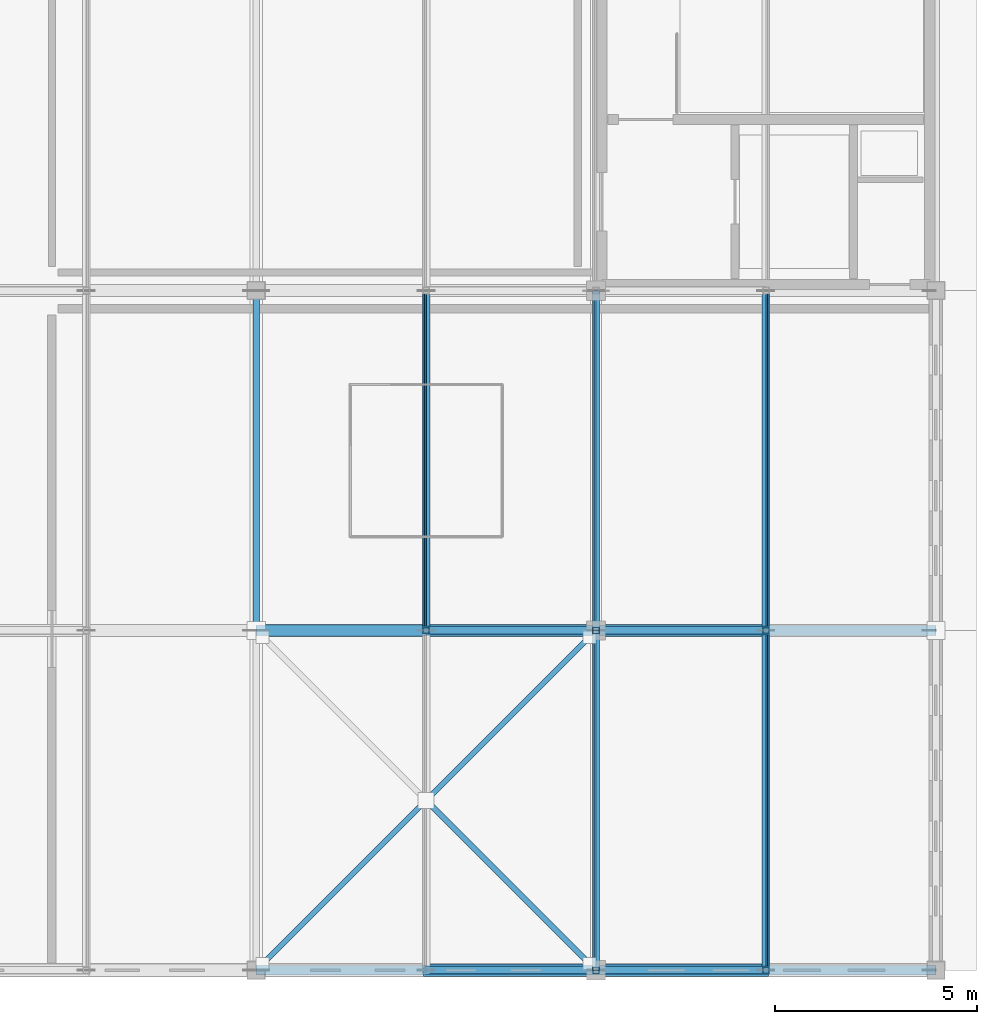
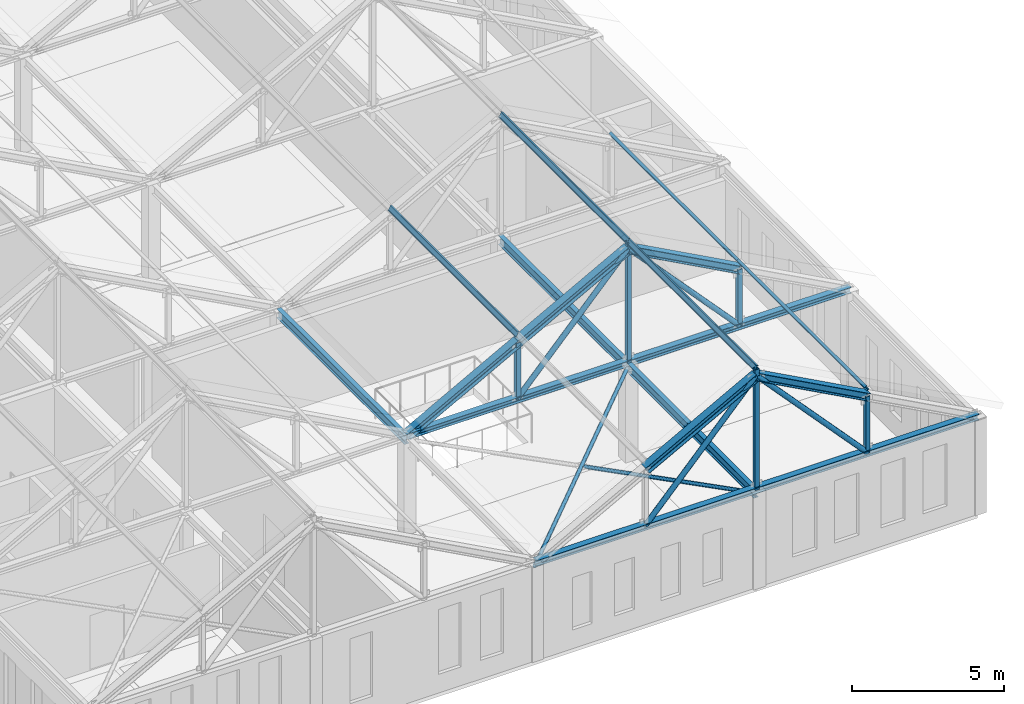
# One storey, part 3 of 36: 23 members, 3 beams.
"""IFC4 building model written with IfcOpenShell, lengths in metres."""

from ifc_helpers import new_model, si_unit, direction, frame, origin, origin_2d, place, context, subcontext, project, spatial, hollow_rectangle, hollow_circle, i_section, extrude, material, material_profile, profile_set, type_object, element, save


model = new_model("IFC4")

# Units and contexts
model_context = context("Model", 3, precision=1e-05, world=origin(), true_north=direction((0.0, 1.0)))
body_context = subcontext(model_context, "Body", "Model", "MODEL_VIEW")
ifc_project = project(units=[si_unit("LENGTHUNIT", "METRE"), si_unit("AREAUNIT", "SQUARE_METRE"), si_unit("VOLUMEUNIT", "CUBIC_METRE"), si_unit("PLANEANGLEUNIT", "RADIAN"), si_unit("MASSUNIT", "GRAM", prefix="KILO")], contexts=[model_context])

# Site, building, storey
site_placement = place(None, origin())
site = spatial("IfcSite", under=ifc_project, at=site_placement, CompositionType="ELEMENT")
building_placement = place(site_placement, origin())
building = spatial("IfcBuilding", under=site, at=building_placement, Name="Kveldsbrygga Polytechnic", CompositionType="ELEMENT")
storey_placement = place(building_placement, frame((0.0, 0.0, 26.179931640625)))
storey = spatial("IfcBuildingStorey", under=building, at=storey_placement, Name="L06", CompositionType="ELEMENT", Elevation=26.179931640625)

# Beams
ifc_material = material(Name="Steel S355", Category="steel")
ifc_material_profile_1 = material_profile(ifc_material, i_section(OverallWidth=0.169921875, OverallDepth=0.360107421875, WebThickness=0.008056640625, FlangeThickness=0.0126953125, FilletRadius=0.01806640625, at=origin_2d()), Name="IPE 360")
ifc_profile_set_1 = profile_set([ifc_material_profile_1], Name="Steel S355")
beam_type = type_object("IfcBeamType", Name="BM-STL-IPE360", PredefinedType="BEAM", material=ifc_profile_set_1)
beam_1_placement = place(storey_placement, frame((142.800048828125, 25.199951171875, 3.66015625), z_axis=(0.0, 1.0, 0.0), x_axis=(-1.0, 0.0, 0.0)))
element("IfcBeam", 1, at=beam_1_placement, inside=storey, type_object=beam_type, Name="Attic Eaves Tie Beam BMY-L06-TOP-17-03", PredefinedType="BEAM", context=body_context, shape_type="SweptSolid", body=[
    extrude(i_section(OverallWidth=0.169921875, OverallDepth=0.360107421875, WebThickness=0.008056640625, FlangeThickness=0.0126953125, FilletRadius=0.01806640625, at=origin_2d()), origin(), (0.0, 0.0, 1.0), 8.400146484375),
])
beam_2_placement = place(storey_placement, frame((151.199951171875, 16.800048828125, 3.66015625), z_axis=(0.0, 1.0, 0.0), x_axis=(-1.0, 0.0, 0.0)))
element("IfcBeam", 2, at=beam_2_placement, inside=storey, type_object=beam_type, Name="Attic Eaves Tie Beam BMY-L06-TOP-18-02", PredefinedType="BEAM", context=body_context, shape_type="SweptSolid", body=[
    extrude(i_section(OverallWidth=0.169921875, OverallDepth=0.360107421875, WebThickness=0.008056640625, FlangeThickness=0.0126953125, FilletRadius=0.01806640625, at=origin_2d()), origin(), (0.0, 0.0, 1.0), 8.39990234375),
])
beam_3_placement = place(storey_placement, frame((151.199951171875, 25.199951171875, 3.66015625), z_axis=(0.0, 1.0, 0.0), x_axis=(-1.0, 0.0, 0.0)))
element("IfcBeam", 3, at=beam_3_placement, inside=storey, type_object=beam_type, Name="Attic Eaves Tie Beam BMY-L06-TOP-18-03", PredefinedType="BEAM", context=body_context, shape_type="SweptSolid", body=[
    extrude(i_section(OverallWidth=0.169921875, OverallDepth=0.360107421875, WebThickness=0.008056640625, FlangeThickness=0.0126953125, FilletRadius=0.01806640625, at=origin_2d()), origin(), (0.0, 0.0, 1.0), 8.400146484375),
])

# Members
ifc_material_profile_2 = material_profile(ifc_material, hollow_circle(Radius=0.06982421875, WallThickness=0.008056640625, at=origin_2d()), Name="CHS 139.7x8.0")
ifc_profile_set_2 = profile_set([ifc_material_profile_2], Name="Steel S355")
member_type_1 = type_object("IfcMemberType", Name="BR-ROOF-CHS140", PredefinedType="BRACE", material=ifc_profile_set_2)
member_1_placement = place(storey_placement, frame((142.800048828125, 16.800048828125, 3.670166015625), z_axis=(0.707106781187, 0.707106781187, 0.0), x_axis=(-0.707106781187, 0.707106781187, 0.0)))
element("IfcMember", 4, at=member_1_placement, inside=storey, type_object=member_type_1, Name="Attic Eaves Continuous Wind Brace RBR-L06-17-2-A", PredefinedType="BRACE", context=body_context, shape_type="SweptSolid", body=[
    extrude(hollow_circle(Radius=0.06982421875, WallThickness=0.008056640625, at=origin_2d()), origin(), (0.0, 0.0, 1.0), 11.879150390625),
])
member_2_placement = place(storey_placement, frame((147.063720703125, 20.936279296875, 3.670166015625), z_axis=(0.707106781187, -0.707106781187, 0.0), x_axis=(0.707106781187, 0.707106781187, 0.0)))
element("IfcMember", 5, at=member_2_placement, inside=storey, type_object=member_type_1, Name="Attic Eaves Split Wind Brace RBR-L06-17-2-B2", PredefinedType="BRACE", context=body_context, shape_type="SweptSolid", body=[
    extrude(hollow_circle(Radius=0.06982421875, WallThickness=0.008056640625, at=origin_2d()), origin(), (0.0, 0.0, 1.0), 5.849609375),
])
ifc_material_profile_3 = material_profile(ifc_material, i_section(OverallWidth=0.10009765625, OverallDepth=0.199951171875, WebThickness=0.005615234375, FlangeThickness=0.008544921875, FilletRadius=0.011962890625, at=origin_2d()), Name="IPE 200")
ifc_profile_set_3 = profile_set([ifc_material_profile_3], Name="Steel S355")
member_type_2 = type_object("IfcMemberType", Name="PRL-IPE200", PredefinedType="PURLIN", material=ifc_profile_set_3)
for number, where, z_axis, x_axis, name in (
    (6, (151.199951171875, 16.800048828125, 8.668701171875), (0.0, 1.0, 0.0), (-0.879292204483, 0.0, 0.476282709256), "Roof Purlin V4M2-PRL-1-2"),
    (7, (155.39990234375, 16.800048828125, 6.393798828125), (0.0, 1.0, 0.0), (-0.879292204483, 0.0, -0.476282709256), "Roof Purlin V4M2-PRL-1-3"),
):
    element("IfcMember", number, at=place(storey_placement, frame(where, z_axis=z_axis, x_axis=x_axis)), inside=storey, type_object=member_type_2, Name=name, PredefinedType="PURLIN", context=body_context, shape_type="SweptSolid", body=[
        extrude(i_section(OverallWidth=0.10009765625, OverallDepth=0.199951171875, WebThickness=0.005615234375, FlangeThickness=0.008544921875, FilletRadius=0.011962890625, at=origin_2d()), origin(), (0.0, 0.0, 1.0), 8.39990234375),
    ])
for number, where, z_axis, x_axis, name in (
    (8, (147.0, 25.199951171875, 6.393798828125), (0.0, 1.0, 0.0), (-0.879292204483, 0.0, 0.476282709256), "Roof Purlin V4M2-PRL-2-1"),
    (9, (151.199951171875, 25.199951171875, 8.668701171875), (0.0, 1.0, 0.0), (-0.879292204483, 0.0, 0.476282709256), "Roof Purlin V4M2-PRL-2-2"),
    (10, (155.39990234375, 25.199951171875, 6.393798828125), (0.0, 1.0, 0.0), (-0.879292204483, 0.0, -0.476282709256), "Roof Purlin V4M2-PRL-2-3"),
):
    element("IfcMember", number, at=place(storey_placement, frame(where, z_axis=z_axis, x_axis=x_axis)), inside=storey, type_object=member_type_2, Name=name, PredefinedType="PURLIN", context=body_context, shape_type="SweptSolid", body=[
        extrude(i_section(OverallWidth=0.10009765625, OverallDepth=0.199951171875, WebThickness=0.005615234375, FlangeThickness=0.008544921875, FilletRadius=0.011962890625, at=origin_2d()), origin(), (0.0, 0.0, 1.0), 8.400146484375),
    ])
ifc_material_profile_4 = material_profile(ifc_material, i_section(OverallWidth=0.239990234375, OverallDepth=0.22998046875, WebThickness=0.007568359375, FlangeThickness=0.011962890625, FilletRadius=0.02099609375, at=origin_2d()), Name="HEA 240")
ifc_profile_set_4 = profile_set([ifc_material_profile_4], Name="Steel S355")
member_type_3 = type_object("IfcMemberType", Name="TR-BOT-HEA240", PredefinedType="CHORD", material=ifc_profile_set_4)
for number, where, z_axis, x_axis, name in (
    (11, (142.800048828125, 16.800048828125, 3.840087890625), (1.0, 0.0, 0.0), (0.0, 1.0, 0.0), "Truss Bottom Chord V4M2-T01-BC-1"),
    (12, (142.800048828125, 25.199951171875, 3.840087890625), (1.0, 0.0, 0.0), (0.0, 1.0, 0.0), "Truss Bottom Chord V4M2-T02-BC-1"),
):
    element("IfcMember", number, at=place(storey_placement, frame(where, z_axis=z_axis, x_axis=x_axis)), inside=storey, type_object=member_type_3, Name=name, PredefinedType="CHORD", context=body_context, shape_type="SweptSolid", body=[
        extrude(i_section(OverallWidth=0.239990234375, OverallDepth=0.22998046875, WebThickness=0.007568359375, FlangeThickness=0.011962890625, FilletRadius=0.02099609375, at=origin_2d()), origin(), (0.0, 0.0, 1.0), 16.800048828125),
    ])
ifc_material_profile_5 = material_profile(ifc_material, hollow_circle(Radius=0.096923828125, WallThickness=0.010009765625, at=origin_2d()), Name="CHS 193.7x10.0")
ifc_profile_set_5 = profile_set([ifc_material_profile_5], Name="Steel S355")
member_type_4 = type_object("IfcMemberType", Name="TR-DIAG-CHS194", PredefinedType="BRACE", material=ifc_profile_set_5)
for number, where, z_axis, x_axis, name in (
    (13, (147.0, 16.800048828125, 3.840087890625), (0.678271914864, 0.0, 0.734811002576), (0.0, 1.0, 0.0), "Truss Diagonal V4M2-T01-DG-2"),
    (14, (151.199951171875, 16.800048828125, 8.39013671875), (0.678271914864, 0.0, -0.734811002576), (0.0, 1.0, 0.0), "Truss Diagonal V4M2-T01-DG-3"),
    (15, (147.0, 25.199951171875, 3.840087890625), (0.678271914864, 0.0, 0.734811002576), (0.0, 1.0, 0.0), "Truss Diagonal V4M2-T02-DG-2"),
    (16, (151.199951171875, 25.199951171875, 8.39013671875), (0.678271914864, 0.0, -0.734811002576), (0.0, 1.0, 0.0), "Truss Diagonal V4M2-T02-DG-3"),
):
    element("IfcMember", number, at=place(storey_placement, frame(where, z_axis=z_axis, x_axis=x_axis)), inside=storey, type_object=member_type_4, Name=name, PredefinedType="BRACE", context=body_context, shape_type="SweptSolid", body=[
        extrude(hollow_circle(Radius=0.096923828125, WallThickness=0.010009765625, at=origin_2d()), origin(), (0.0, 0.0, 1.0), 6.192138671875),
    ])
ifc_material_profile_6 = material_profile(ifc_material, hollow_rectangle(XDim=0.159912109375, YDim=0.159912109375, WallThickness=0.010009765625, at=origin_2d()), Name="SHS 160x160x10.0")
ifc_profile_set_6 = profile_set([ifc_material_profile_6], Name="Steel S355")
member_type_5 = type_object("IfcMemberType", Name="TR-POST-SHS160", PredefinedType="STRUT", material=ifc_profile_set_6)
member_3_placement = place(storey_placement, frame((151.199951171875, 16.800048828125, 3.840087890625), z_axis=(0.0, 0.0, 1.0), x_axis=(1.0, 0.0, 0.0)))
element("IfcMember", 17, at=member_3_placement, inside=storey, type_object=member_type_5, Name="Truss Vertical V4M2-T01-VT-2", PredefinedType="STRUT", context=body_context, shape_type="SweptSolid", body=[
    extrude(hollow_rectangle(XDim=0.159912109375, YDim=0.159912109375, WallThickness=0.010009765625, at=origin_2d()), origin(), (0.0, 0.0, 1.0), 4.82861328125),
])
for number, where, z_axis, x_axis, name in (
    (18, (155.39990234375, 16.800048828125, 3.840087890625), (0.0, 0.0, 1.0), (1.0, 0.0, 0.0), "Truss Vertical V4M2-T01-VT-3"),
    (19, (147.0, 25.199951171875, 3.840087890625), (0.0, 0.0, 1.0), (1.0, 0.0, 0.0), "Truss Vertical V4M2-T02-VT-1"),
):
    element("IfcMember", number, at=place(storey_placement, frame(where, z_axis=z_axis, x_axis=x_axis)), inside=storey, type_object=member_type_5, Name=name, PredefinedType="STRUT", context=body_context, shape_type="SweptSolid", body=[
        extrude(hollow_rectangle(XDim=0.159912109375, YDim=0.159912109375, WallThickness=0.010009765625, at=origin_2d()), origin(), (0.0, 0.0, 1.0), 2.27490234375),
    ])
member_4_placement = place(storey_placement, frame((151.199951171875, 25.199951171875, 3.840087890625), z_axis=(0.0, 0.0, 1.0), x_axis=(1.0, 0.0, 0.0)))
element("IfcMember", 20, at=member_4_placement, inside=storey, type_object=member_type_5, Name="Truss Vertical V4M2-T02-VT-2", PredefinedType="STRUT", context=body_context, shape_type="SweptSolid", body=[
    extrude(hollow_rectangle(XDim=0.159912109375, YDim=0.159912109375, WallThickness=0.010009765625, at=origin_2d()), origin(), (0.0, 0.0, 1.0), 4.82861328125),
])
member_5_placement = place(storey_placement, frame((155.39990234375, 25.199951171875, 3.840087890625), z_axis=(0.0, 0.0, 1.0), x_axis=(1.0, 0.0, 0.0)))
element("IfcMember", 21, at=member_5_placement, inside=storey, type_object=member_type_5, Name="Truss Vertical V4M2-T02-VT-3", PredefinedType="STRUT", context=body_context, shape_type="SweptSolid", body=[
    extrude(hollow_rectangle(XDim=0.159912109375, YDim=0.159912109375, WallThickness=0.010009765625, at=origin_2d()), origin(), (0.0, 0.0, 1.0), 2.27490234375),
])
ifc_material_profile_7 = material_profile(ifc_material, i_section(OverallWidth=0.300048828125, OverallDepth=0.2900390625, WebThickness=0.008544921875, FlangeThickness=0.013916015625, FilletRadius=0.027099609375, at=origin_2d()), Name="HEA 300")
ifc_profile_set_7 = profile_set([ifc_material_profile_7], Name="Steel S355")
member_type_6 = type_object("IfcMemberType", Name="TR-TOP-HEA300", PredefinedType="CHORD", material=ifc_profile_set_7)
for number, where, z_axis, x_axis, name in (
    (22, (147.0, 16.800048828125, 6.114990234375), (0.879276804059, 0.0, 0.476311139744), (0.0, 1.0, 0.0), "Truss Top Chord V4M2-T01-TC-2"),
    (23, (151.199951171875, 16.800048828125, 8.39013671875), (0.879276804059, 0.0, -0.476311139744), (0.0, 1.0, 0.0), "Truss Top Chord V4M2-T01-TC-3"),
):
    element("IfcMember", number, at=place(storey_placement, frame(where, z_axis=z_axis, x_axis=x_axis)), inside=storey, type_object=member_type_6, Name=name, PredefinedType="CHORD", context=body_context, shape_type="SweptSolid", body=[
        extrude(i_section(OverallWidth=0.300048828125, OverallDepth=0.2900390625, WebThickness=0.008544921875, FlangeThickness=0.013916015625, FilletRadius=0.027099609375, at=origin_2d()), origin(), (0.0, 0.0, 1.0), 4.776611328125),
    ])
member_6_placement = place(storey_placement, frame((142.800048828125, 25.199951171875, 3.840087890625), z_axis=(0.879298209803, 0.0, 0.47627162233), x_axis=(0.0, 1.0, 0.0)))
element("IfcMember", 24, at=member_6_placement, inside=storey, type_object=member_type_6, Name="Truss Top Chord V4M2-T02-TC-1", PredefinedType="CHORD", context=body_context, shape_type="SweptSolid", body=[
    extrude(i_section(OverallWidth=0.300048828125, OverallDepth=0.2900390625, WebThickness=0.008544921875, FlangeThickness=0.013916015625, FilletRadius=0.027099609375, at=origin_2d()), origin(), (0.0, 0.0, 1.0), 4.7763671875),
])
for number, where, z_axis, x_axis, name in (
    (25, (147.0, 25.199951171875, 6.114990234375), (0.879276804059, 0.0, 0.476311139744), (0.0, 1.0, 0.0), "Truss Top Chord V4M2-T02-TC-2"),
    (26, (151.199951171875, 25.199951171875, 8.39013671875), (0.879276804059, 0.0, -0.476311139744), (0.0, 1.0, 0.0), "Truss Top Chord V4M2-T02-TC-3"),
):
    element("IfcMember", number, at=place(storey_placement, frame(where, z_axis=z_axis, x_axis=x_axis)), inside=storey, type_object=member_type_6, Name=name, PredefinedType="CHORD", context=body_context, shape_type="SweptSolid", body=[
        extrude(i_section(OverallWidth=0.300048828125, OverallDepth=0.2900390625, WebThickness=0.008544921875, FlangeThickness=0.013916015625, FilletRadius=0.027099609375, at=origin_2d()), origin(), (0.0, 0.0, 1.0), 4.776611328125),
    ])

save(model, "model.ifc")
